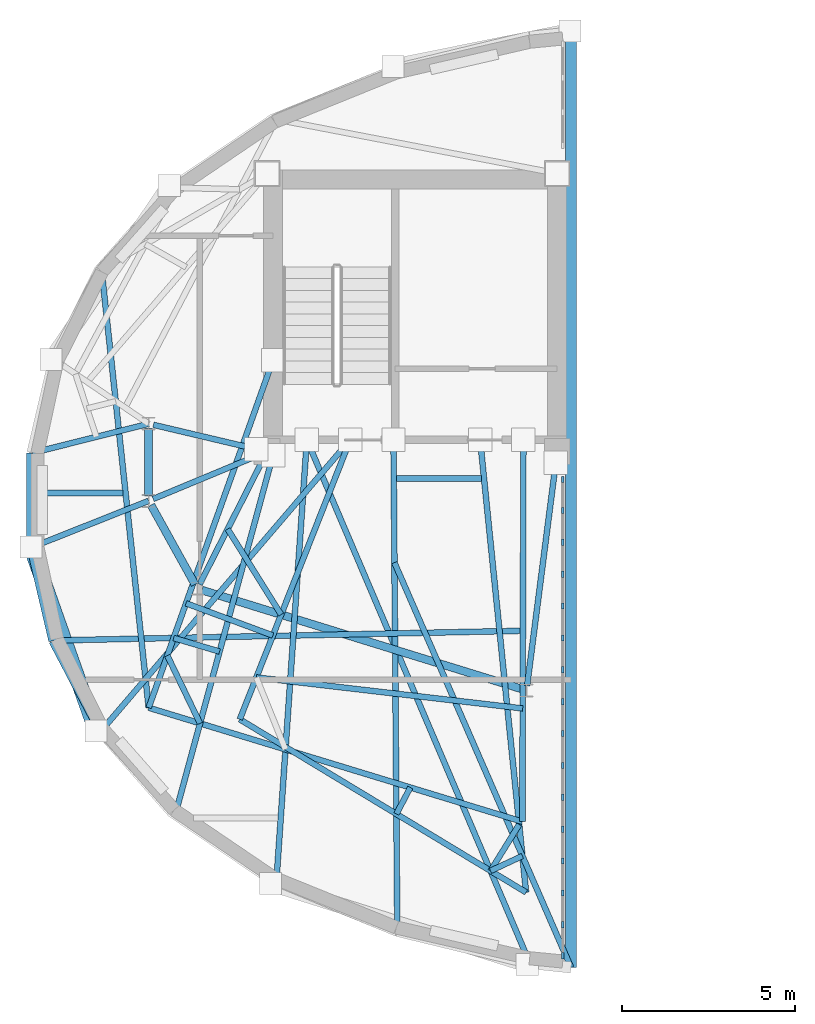
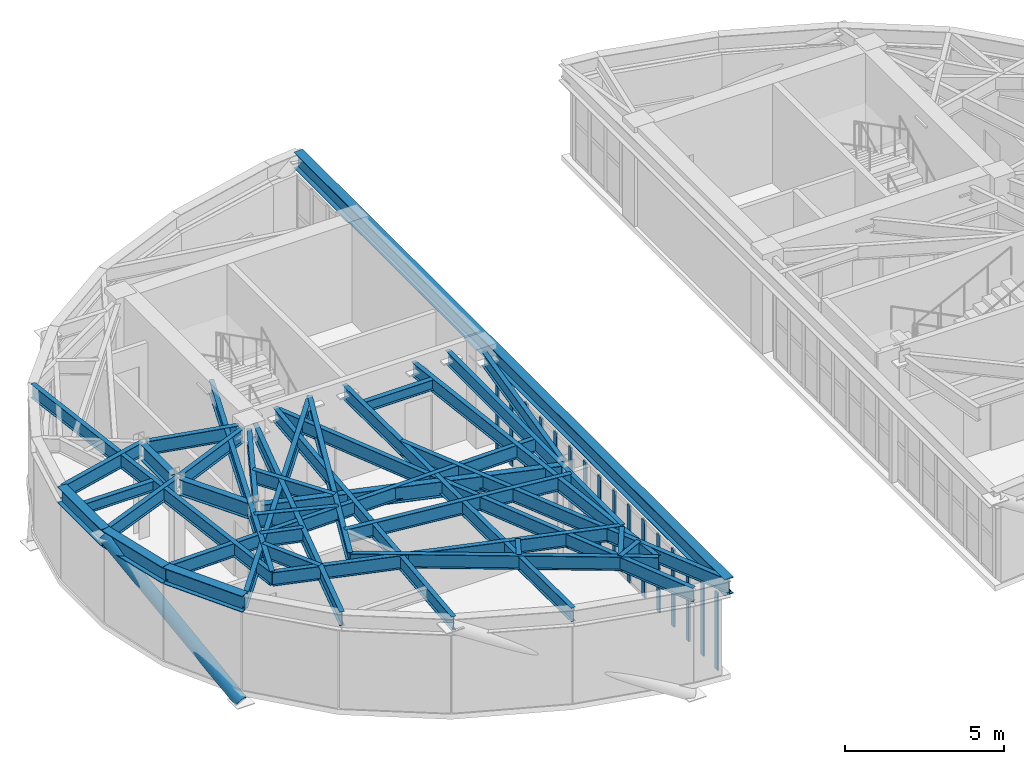
# One storey, part 2 of 13: 37 beams, 17 members, 1 element without a shape of its own.
"""IFC4 building model written with IfcOpenShell, lengths in metres."""

import ifcopenshell
import ifcopenshell.guid

model = None  # the IFC model being written
_history = None  # IfcOwnerHistory: only IFC2X3 demands one
_inside = {}  # id of a spatial element -> (the spatial element, [elements in it])
_under = {}  # id of a project, library or spatial element -> (it, [spatial elements below it])
_declared = {}  # id of a project -> (the project, [libraries it declares])
_typed = {}  # id of a type object -> (the type object, [elements of that type])
_made_of = {}  # id of a material, layer set ... -> (it, [elements and type objects made of it])


def new_model(schema):
    """Start an empty IFC model of exactly this schema.

    Asked for "IFC4X3", IfcOpenShell would pick the latest addendum, in which some entities
    have other attributes; the version numbers below select the first issue.
    IFC2X3 requires an IfcOwnerHistory on every rooted entity: one is made here for all.
    """
    global model, _history
    if schema == "IFC4X3":
        model = ifcopenshell.file(schema_version=(4, 3, 0, 0))
    else:
        model = ifcopenshell.file(schema=schema)
    _inside.clear()
    _under.clear()
    _declared.clear()
    _typed.clear()
    _made_of.clear()
    _history = None
    if model.schema == "IFC2X3":
        org = make("IfcOrganization", Name="unknown")
        user = make(
            "IfcPersonAndOrganization",
            ThePerson=make("IfcPerson", FamilyName="unknown"),
            TheOrganization=org,
        )
        app = make(
            "IfcApplication",
            ApplicationDeveloper=org,
            Version="unknown",
            ApplicationFullName="unknown",
            ApplicationIdentifier="unknown",
        )
        _history = make(
            "IfcOwnerHistory",
            OwningUser=user,
            OwningApplication=app,
            ChangeAction="ADDED",
            CreationDate=0,
        )
    return model


def make(cls, **values):
    """One entity of the class cls with the attributes given. An attribute that is None is left unset."""
    return model.create_entity(
        cls, **{name: value for name, value in values.items() if value is not None}
    )


def rooted(cls, **values):
    """An entity with a GlobalId (a new one), such as an element, a storey or a relation."""
    return make(cls, GlobalId=ifcopenshell.guid.new(), OwnerHistory=_history, **values)


def si_unit(unit_type, name, prefix=None):
    """IfcSIUnit, for example si_unit("LENGTHUNIT", "METRE", prefix="MILLI")."""
    return make("IfcSIUnit", UnitType=unit_type, Prefix=prefix, Name=name)


def assignment(units):
    """IfcUnitAssignment: the units of a project."""
    return None if units is None else make("IfcUnitAssignment", Units=units)


def point(xyz):
    """IfcCartesianPoint."""
    return None if xyz is None else make("IfcCartesianPoint", Coordinates=xyz)


def direction(xyz):
    """IfcDirection."""
    return None if xyz is None else make("IfcDirection", DirectionRatios=xyz)


def frame(location, z_axis=None, x_axis=None):
    """IfcAxis2Placement3D, a coordinate frame: its origin and axes. An axis left out is left unset."""
    return make(
        "IfcAxis2Placement3D",
        Location=point(location),
        Axis=direction(z_axis),
        RefDirection=direction(x_axis),
    )


def frame_2d(location, x_axis=None):
    """IfcAxis2Placement2D, a coordinate frame in the plane: its origin and x axis."""
    return make(
        "IfcAxis2Placement2D", Location=point(location), RefDirection=direction(x_axis)
    )


def origin():
    """The frame at (0, 0, 0) with its axes left unset."""
    return frame((0.0, 0.0, 0.0))


def origin_2d():
    """The frame at (0, 0) in the plane with its x axis left unset."""
    return frame_2d((0.0, 0.0))


def place(relative_to, where):
    """IfcLocalPlacement: puts the frame where relative to a parent placement (None: the world)."""
    return make(
        "IfcLocalPlacement", PlacementRelTo=relative_to, RelativePlacement=where
    )


def context(
    kind, dimensions, precision=None, world=None, true_north=None, identifier=None
):
    """IfcGeometricRepresentationContext, for example the 3D "Model" context."""
    return make(
        "IfcGeometricRepresentationContext",
        ContextIdentifier=identifier,
        ContextType=kind,
        CoordinateSpaceDimension=dimensions,
        Precision=precision,
        WorldCoordinateSystem=world,
        TrueNorth=true_north,
    )


def subcontext(parent, identifier, kind, view, scale=None):
    """IfcGeometricRepresentationSubContext, for example "Body" below "Model"."""
    return make(
        "IfcGeometricRepresentationSubContext",
        ContextIdentifier=identifier,
        ContextType=kind,
        ParentContext=parent,
        TargetScale=scale,
        TargetView=view,
    )


def project(units=None, contexts=None):
    """IfcProject with its units and contexts."""
    return rooted(
        "IfcProject",
        Name="project",
        RepresentationContexts=contexts,
        UnitsInContext=assignment(units),
    )


def spatial(cls, under=None, at=None, **own):
    """A site, building, storey or space (cls), placed at a placement, below another one or the project."""
    s = rooted(cls, ObjectPlacement=at, **own)
    if under is not None:
        _under.setdefault(under.id(), (under, []))[1].append(s)
    return s


def profile(cls, at=None, kind="AREA", **sizes):
    """A parametric profile (cls). Its sizes go by their IFC names, for example OverallWidth=200.0."""
    return make(cls, ProfileType=kind, Position=at, **sizes)


def rectangle(**sizes):
    """IfcRectangleProfileDef."""
    return profile("IfcRectangleProfileDef", **sizes)


def hollow_circle(**sizes):
    """IfcCircleHollowProfileDef."""
    return profile("IfcCircleHollowProfileDef", **sizes)


def i_section(**sizes):
    """IfcIShapeProfileDef."""
    return profile("IfcIShapeProfileDef", **sizes)


def extrude(swept, where, along, depth):
    """IfcExtrudedAreaSolid: the profile swept, set in the frame where, extruded along a direction by depth."""
    return make(
        "IfcExtrudedAreaSolid",
        SweptArea=swept,
        Position=where,
        ExtrudedDirection=direction(along),
        Depth=depth,
    )


def shape(context_of_items, identifier, shape_type, items):
    """IfcShapeRepresentation: the items that make up one representation, for example the "Body"."""
    return make(
        "IfcShapeRepresentation",
        ContextOfItems=context_of_items,
        RepresentationIdentifier=identifier,
        RepresentationType=shape_type,
        Items=items,
    )


def material(Name=None, Category=None):
    """IfcMaterial."""
    return make("IfcMaterial", Name=Name, Category=Category)


def layer(
    of_material, thickness, ventilated=None, Name=None, Category=None, Priority=None
):
    """IfcMaterialLayer: one layer of a wall or slab, of a material (None: an air gap)."""
    return make(
        "IfcMaterialLayer",
        Material=of_material,
        LayerThickness=thickness,
        IsVentilated=ventilated,
        Name=Name,
        Category=Category,
        Priority=Priority,
    )


def layer_set(layers, Name=None):
    """IfcMaterialLayerSet."""
    return make("IfcMaterialLayerSet", MaterialLayers=layers, LayerSetName=Name)


def material_profile(
    of_material, cross_section, Name=None, Category=None, Priority=None
):
    """IfcMaterialProfile: a cross section and its material."""
    return make(
        "IfcMaterialProfile",
        Name=Name,
        Material=of_material,
        Profile=cross_section,
        Priority=Priority,
        Category=Category,
    )


def profile_set(profiles, Name=None, composite=None):
    """IfcMaterialProfileSet."""
    return make(
        "IfcMaterialProfileSet",
        Name=Name,
        MaterialProfiles=profiles,
        CompositeProfile=composite,
    )


def made_of(thing, what):
    """Note that an element or type object is made of a material, layer set ...; save() writes the relation."""
    if what is not None:
        _made_of.setdefault(what.id(), (what, []))[1].append(thing)
    return thing


def type_object(cls, material=None, **own):
    """A type object (cls), such as IfcWallType, which elements share."""
    return made_of(rooted(cls, **own), material)


def element(
    cls,
    number,
    at=None,
    inside=None,
    cuts=None,
    type_object=None,
    material=None,
    context=None,
    identifier="Body",
    shape_type=None,
    held_by="IfcProductDefinitionShape",
    body=None,
    shapes=None,
    **own,
):
    """One element of the class cls, such as IfcWall. Its Tag is "e" and its number.

    at: its placement. inside: the storey or other place that contains it. cuts: it is an
    opening in that element (IfcRelVoidsElement). A single representation is given by context,
    identifier, shape_type and body (its items); several are given by shapes. held_by: the class
    of the entity that holds the representations. save() writes the other relations.
    """
    e = rooted(cls, Tag="e%d" % number, ObjectPlacement=at, **own)
    if body is not None:
        shapes = [shape(context, identifier, shape_type, body)]
    if shapes is not None:
        e.Representation = make(held_by, Representations=shapes)
    if inside is not None:
        _inside.setdefault(inside.id(), (inside, []))[1].append(e)
    if cuts is not None:
        rooted(
            "IfcRelVoidsElement", RelatingBuildingElement=cuts, RelatedOpeningElement=e
        )
    if type_object is not None:
        _typed.setdefault(type_object.id(), (type_object, []))[1].append(e)
    return made_of(e, material)


def aggregate(whole, parts):
    """IfcRelAggregates: a whole, such as a stair, and the parts it consists of."""
    return rooted("IfcRelAggregates", RelatingObject=whole, RelatedObjects=parts)


def save(model, path):
    """Write the relations noted so far, then the file.

    IfcRelAggregates (storeys below a building ...), IfcRelContainedInSpatialStructure (elements
    in a storey), IfcRelDefinesByType, IfcRelAssociatesMaterial and IfcRelDeclares: one each for
    every whole, place, type object, material and project.
    """
    for whole, parts in _under.values():
        aggregate(whole, parts)
    for where, things in _inside.values():
        rooted(
            "IfcRelContainedInSpatialStructure",
            RelatedElements=things,
            RelatingStructure=where,
        )
    for kind, things in _typed.values():
        rooted("IfcRelDefinesByType", RelatedObjects=things, RelatingType=kind)
    for what, things in _made_of.values():
        rooted("IfcRelAssociatesMaterial", RelatedObjects=things, RelatingMaterial=what)
    for by, libraries in _declared.values():
        rooted("IfcRelDeclares", RelatingContext=by, RelatedDefinitions=libraries)
    model.write(path)


model = new_model("IFC4")

# Units and contexts
model_context = context("Model", 3, precision=1e-05, world=origin(), true_north=direction((0.0, 1.0)))
body_context = subcontext(model_context, "Body", "Model", "MODEL_VIEW")
ifc_project = project(units=[si_unit("LENGTHUNIT", "METRE"), si_unit("AREAUNIT", "SQUARE_METRE"), si_unit("VOLUMEUNIT", "CUBIC_METRE"), si_unit("PLANEANGLEUNIT", "RADIAN"), si_unit("MASSUNIT", "GRAM", prefix="KILO")], contexts=[model_context])

# Site, building, storey
site_placement = place(None, origin())
site = spatial("IfcSite", under=ifc_project, at=site_placement, CompositionType="ELEMENT")
building_placement = place(site_placement, origin())
building = spatial("IfcBuilding", under=site, at=building_placement, Name="Keldmark Tower", CompositionType="ELEMENT")
storey_placement = place(building_placement, frame((0.0, 0.0, 276.800048828125)))
storey = spatial("IfcBuildingStorey", under=building, at=storey_placement, Name="L78", CompositionType="ELEMENT", Elevation=276.800048828125)

# Beams
ifc_material_1 = material(Name="Steel ASTM A992 Grade 50", Category="steel")
ifc_material_profile_1 = material_profile(ifc_material_1, i_section(OverallWidth=0.177978515625, OverallDepth=0.403076171875, WebThickness=0.007568359375, FlangeThickness=0.010986328125, at=origin_2d()), Name="W16X36")
ifc_profile_set_1 = profile_set([ifc_material_profile_1], Name="Steel ASTM A992 Grade 50")
beam_type_1 = type_object("IfcBeamType", Name="Composite Floor Joist W16X36", PredefinedType="JOIST", material=ifc_profile_set_1)
beam_1_placement = place(storey_placement, frame((-20.23779296875, 0.199951171875, 3.3984375), z_axis=(1.0, 0.0, 0.0), x_axis=(0.0, 1.0, 0.0)))
element("IfcBeam", 1, at=beam_1_placement, inside=storey, type_object=beam_type_1, Name="L78 Composite Floor Joist J05", PredefinedType="JOIST", context=body_context, shape_type="SweptSolid", body=[
    extrude(i_section(OverallWidth=0.177978515625, OverallDepth=0.403076171875, WebThickness=0.007568359375, FlangeThickness=0.010986328125, at=origin_2d()), origin(), (0.0, 0.0, 1.0), 2.46875),
])
beam_2_placement = place(storey_placement, frame((-9.855712890625, 0.6201171875, 3.3984375), z_axis=(1.0, 0.0, 0.0), x_axis=(0.0, 1.0, 0.0)))
element("IfcBeam", 2, at=beam_2_placement, inside=storey, type_object=beam_type_1, Name="L78 Composite Floor Joist J06", PredefinedType="JOIST", context=body_context, shape_type="SweptSolid", body=[
    extrude(i_section(OverallWidth=0.177978515625, OverallDepth=0.403076171875, WebThickness=0.007568359375, FlangeThickness=0.010986328125, at=origin_2d()), origin(), (0.0, 0.0, 1.0), 2.4619140625),
])

# Member
ifc_material_2 = material(Name="Steel ASTM A572 Grade 50", Category="steel")
ifc_material_profile_2 = material_profile(ifc_material_2, hollow_circle(Radius=0.22509765625, WallThickness=0.02197265625, at=origin_2d()), Name="CHS450X22")
ifc_profile_set_2 = profile_set([ifc_material_profile_2], Name="Steel ASTM A572 Grade 50")
member_type_1 = type_object("IfcMemberType", Name="Crown Frame Brace CHS450X22", PredefinedType="USERDEFINED", material=ifc_profile_set_2)
member_1_placement = place(storey_placement, frame((-18.544921875, -6.688232421875, -0.449951171875), z_axis=(-0.276718751371, 0.782531387423, 0.557737716438), x_axis=(-0.942789303408, -0.333389156062, 0.0)))
element("IfcMember", 3, at=member_1_placement, inside=storey, type_object=member_type_1, Name="L78 Crown Frame Diagonal W04", ObjectType="CROWN FRAME", PredefinedType="USERDEFINED", context=body_context, shape_type="SweptSolid", body=[
    extrude(hollow_circle(Radius=0.22509765625, WallThickness=0.02197265625, at=origin_2d()), origin(), (0.0, 0.0, 1.0), 6.81298828125),
])

# Curtain wall, members
ifc_material_3 = material(Name="Unitized Thermally Broken Aluminum and Triple Low-E Glazing", Category="aluminium")
ifc_layer = layer(ifc_material_3, 0.219970703125)
ifc_layer_set = layer_set([ifc_layer], Name="Unitized Thermally Broken Aluminum and Triple Low-E Glazing")
curtain_wall_type = type_object("IfcCurtainWallType", Name="Split-Top Crown Lantern Curtain Wall System", PredefinedType="NOTDEFINED", material=ifc_layer_set)
curtain_wall_placement = place(storey_placement, origin())
curtain_wall = element("IfcCurtainWall", 4, at=curtain_wall_placement, inside=storey, type_object=curtain_wall_type, Name="L78 Split-Top Crown Lantern Curtain Wall System CW-L78-WS14-0", PredefinedType="NOTDEFINED")
ifc_material_4 = material(Name="Extruded Aluminum Alloy 6063-T6", Category="aluminium")
ifc_material_profile_3 = material_profile(ifc_material_4, rectangle(XDim=0.06005859375, YDim=0.179931640625, at=origin_2d()), Name="CWM60X180")
ifc_profile_set_3 = profile_set([ifc_material_profile_3], Name="Extruded Aluminum Alloy 6063-T6")
member_type_2 = type_object("IfcMemberType", Name="Curtain Wall Structural Mullion 60x180", PredefinedType="MULLION", material=ifc_profile_set_3)
member_2_placement = place(storey_placement, frame((-5.0400390625, -13.188720703125, 0.0), z_axis=(0.0, 0.0, 1.0), x_axis=(-1.0, 0.0, 0.0)))
member_2 = element("IfcMember", 5, at=member_2_placement, type_object=member_type_2, Name="CW mullion 1", PredefinedType="MULLION", context=body_context, shape_type="SweptSolid", body=[
    extrude(rectangle(XDim=0.06005859375, YDim=0.179931640625, at=origin_2d()), origin(), (0.0, 0.0, 1.0), 2.966064453125),
])
member_3_placement = place(storey_placement, frame((-5.0400390625, -12.2958984375, 0.0), z_axis=(0.0, 0.0, 1.0), x_axis=(-1.0, 0.0, 0.0)))
member_3 = element("IfcMember", 6, at=member_3_placement, type_object=member_type_2, Name="CW mullion 2", PredefinedType="MULLION", context=body_context, shape_type="SweptSolid", body=[
    extrude(rectangle(XDim=0.06005859375, YDim=0.179931640625, at=origin_2d()), origin(), (0.0, 0.0, 1.0), 2.966064453125),
])
member_4_placement = place(storey_placement, frame((-5.0400390625, -11.373291015625, 0.0), z_axis=(0.0, 0.0, 1.0), x_axis=(-1.0, 0.0, 0.0)))
member_4 = element("IfcMember", 7, at=member_4_placement, type_object=member_type_2, Name="CW mullion 3", PredefinedType="MULLION", context=body_context, shape_type="SweptSolid", body=[
    extrude(rectangle(XDim=0.06005859375, YDim=0.179931640625, at=origin_2d()), origin(), (0.0, 0.0, 1.0), 2.966064453125),
])
member_5_placement = place(storey_placement, frame((-5.0400390625, -10.45068359375, 0.0), z_axis=(0.0, 0.0, 1.0), x_axis=(-1.0, 0.0, 0.0)))
member_5 = element("IfcMember", 8, at=member_5_placement, type_object=member_type_2, Name="CW mullion 4", PredefinedType="MULLION", context=body_context, shape_type="SweptSolid", body=[
    extrude(rectangle(XDim=0.06005859375, YDim=0.179931640625, at=origin_2d()), origin(), (0.0, 0.0, 1.0), 2.966064453125),
])
member_6_placement = place(storey_placement, frame((-5.0400390625, -9.528076171875, 0.0), z_axis=(0.0, 0.0, 1.0), x_axis=(-1.0, 0.0, 0.0)))
member_6 = element("IfcMember", 9, at=member_6_placement, type_object=member_type_2, Name="CW mullion 5", PredefinedType="MULLION", context=body_context, shape_type="SweptSolid", body=[
    extrude(rectangle(XDim=0.06005859375, YDim=0.179931640625, at=origin_2d()), origin(), (0.0, 0.0, 1.0), 2.966064453125),
])
member_7_placement = place(storey_placement, frame((-5.0400390625, -8.605224609375, 0.0), z_axis=(0.0, 0.0, 1.0), x_axis=(-1.0, 0.0, 0.0)))
member_7 = element("IfcMember", 10, at=member_7_placement, type_object=member_type_2, Name="CW mullion 6", PredefinedType="MULLION", context=body_context, shape_type="SweptSolid", body=[
    extrude(rectangle(XDim=0.06005859375, YDim=0.179931640625, at=origin_2d()), origin(), (0.0, 0.0, 1.0), 2.966064453125),
])
member_8_placement = place(storey_placement, frame((-5.0400390625, -7.6826171875, 0.0), z_axis=(0.0, 0.0, 1.0), x_axis=(-1.0, 0.0, 0.0)))
member_8 = element("IfcMember", 11, at=member_8_placement, type_object=member_type_2, Name="CW mullion 7", PredefinedType="MULLION", context=body_context, shape_type="SweptSolid", body=[
    extrude(rectangle(XDim=0.06005859375, YDim=0.179931640625, at=origin_2d()), origin(), (0.0, 0.0, 1.0), 2.966064453125),
])
member_9_placement = place(storey_placement, frame((-5.0400390625, -6.760009765625, 0.0), z_axis=(0.0, 0.0, 1.0), x_axis=(-1.0, 0.0, 0.0)))
member_9 = element("IfcMember", 12, at=member_9_placement, type_object=member_type_2, Name="CW mullion 8", PredefinedType="MULLION", context=body_context, shape_type="SweptSolid", body=[
    extrude(rectangle(XDim=0.06005859375, YDim=0.179931640625, at=origin_2d()), origin(), (0.0, 0.0, 1.0), 2.966064453125),
])
member_10_placement = place(storey_placement, frame((-5.0400390625, -5.837158203125, 0.0), z_axis=(0.0, 0.0, 1.0), x_axis=(-1.0, 0.0, 0.0)))
member_10 = element("IfcMember", 13, at=member_10_placement, type_object=member_type_2, Name="CW mullion 9", PredefinedType="MULLION", context=body_context, shape_type="SweptSolid", body=[
    extrude(rectangle(XDim=0.06005859375, YDim=0.179931640625, at=origin_2d()), origin(), (0.0, 0.0, 1.0), 2.966064453125),
])
member_11_placement = place(storey_placement, frame((-5.0400390625, -4.91455078125, 0.0), z_axis=(0.0, 0.0, 1.0), x_axis=(-1.0, 0.0, 0.0)))
member_11 = element("IfcMember", 14, at=member_11_placement, type_object=member_type_2, Name="CW mullion 10", PredefinedType="MULLION", context=body_context, shape_type="SweptSolid", body=[
    extrude(rectangle(XDim=0.06005859375, YDim=0.179931640625, at=origin_2d()), origin(), (0.0, 0.0, 1.0), 2.966064453125),
])
member_12_placement = place(storey_placement, frame((-5.0400390625, -3.991943359375, 0.0), z_axis=(0.0, 0.0, 1.0), x_axis=(-1.0, 0.0, 0.0)))
member_12 = element("IfcMember", 15, at=member_12_placement, type_object=member_type_2, Name="CW mullion 11", PredefinedType="MULLION", context=body_context, shape_type="SweptSolid", body=[
    extrude(rectangle(XDim=0.06005859375, YDim=0.179931640625, at=origin_2d()), origin(), (0.0, 0.0, 1.0), 2.966064453125),
])
member_13_placement = place(storey_placement, frame((-5.0400390625, -3.0693359375, 0.0), z_axis=(0.0, 0.0, 1.0), x_axis=(-1.0, 0.0, 0.0)))
member_13 = element("IfcMember", 16, at=member_13_placement, type_object=member_type_2, Name="CW mullion 12", PredefinedType="MULLION", context=body_context, shape_type="SweptSolid", body=[
    extrude(rectangle(XDim=0.06005859375, YDim=0.179931640625, at=origin_2d()), origin(), (0.0, 0.0, 1.0), 2.966064453125),
])
member_14_placement = place(storey_placement, frame((-5.0400390625, -2.146484375, 0.0), z_axis=(0.0, 0.0, 1.0), x_axis=(-1.0, 0.0, 0.0)))
member_14 = element("IfcMember", 17, at=member_14_placement, type_object=member_type_2, Name="CW mullion 13", PredefinedType="MULLION", context=body_context, shape_type="SweptSolid", body=[
    extrude(rectangle(XDim=0.06005859375, YDim=0.179931640625, at=origin_2d()), origin(), (0.0, 0.0, 1.0), 2.966064453125),
])
member_15_placement = place(storey_placement, frame((-5.0400390625, -1.223876953125, 0.0), z_axis=(0.0, 0.0, 1.0), x_axis=(-1.0, 0.0, 0.0)))
member_15 = element("IfcMember", 18, at=member_15_placement, type_object=member_type_2, Name="CW mullion 14", PredefinedType="MULLION", context=body_context, shape_type="SweptSolid", body=[
    extrude(rectangle(XDim=0.06005859375, YDim=0.179931640625, at=origin_2d()), origin(), (0.0, 0.0, 1.0), 2.966064453125),
])
member_16_placement = place(storey_placement, frame((-5.0400390625, -0.30126953125, 0.0), z_axis=(0.0, 0.0, 1.0), x_axis=(-1.0, 0.0, 0.0)))
member_16 = element("IfcMember", 19, at=member_16_placement, type_object=member_type_2, Name="CW mullion 15", PredefinedType="MULLION", context=body_context, shape_type="SweptSolid", body=[
    extrude(rectangle(XDim=0.06005859375, YDim=0.179931640625, at=origin_2d()), origin(), (0.0, 0.0, 1.0), 2.966064453125),
])
member_17_placement = place(storey_placement, frame((-5.0400390625, 0.591552734375, 0.0), z_axis=(0.0, 0.0, 1.0), x_axis=(-1.0, 0.0, 0.0)))
member_17 = element("IfcMember", 20, at=member_17_placement, type_object=member_type_2, Name="CW mullion 16", PredefinedType="MULLION", context=body_context, shape_type="SweptSolid", body=[
    extrude(rectangle(XDim=0.06005859375, YDim=0.179931640625, at=origin_2d()), origin(), (0.0, 0.0, 1.0), 2.966064453125),
])
aggregate(curtain_wall, [member_2, member_3, member_4, member_5, member_6, member_7, member_8, member_9, member_10, member_11, member_12, member_13, member_14, member_15, member_16, member_17])

# Beams
ifc_material_5 = material(Name="Steel ASTM A992 Grade 50", Category="steel")
ifc_material_profile_4 = material_profile(ifc_material_5, i_section(OverallWidth=0.22802734375, OverallDepth=0.60302734375, WebThickness=0.010498046875, FlangeThickness=0.014892578125, at=origin_2d()), Name="W24X68")
ifc_profile_set_4 = profile_set([ifc_material_profile_4], Name="Steel ASTM A992 Grade 50")
beam_type_2 = type_object("IfcBeamType", Name="Primary Floor Girder W24X68", PredefinedType="BEAM", material=ifc_profile_set_4)
beam_3_placement = place(storey_placement, frame((-17.025634765625, 2.068115234375, 3.29833984375), z_axis=(0.0, -1.0, 0.0), x_axis=(1.0, 0.0, 0.0)))
element("IfcBeam", 21, at=beam_3_placement, inside=storey, type_object=beam_type_2, Name="L78 Floor Ring Girder FG-R02", PredefinedType="BEAM", context=body_context, shape_type="SweptSolid", body=[
    extrude(i_section(OverallWidth=0.22802734375, OverallDepth=0.60302734375, WebThickness=0.010498046875, FlangeThickness=0.014892578125, at=origin_2d()), origin(), (0.0, 0.0, 1.0), 1.9521484375),
])
beam_4_placement = place(storey_placement, frame((-16.957763671875, -0.146484375, 3.29833984375), z_axis=(0.484719680408, -0.874669555561, 0.0), x_axis=(0.874669555561, 0.484719680408, 0.0)))
element("IfcBeam", 22, at=beam_4_placement, inside=storey, type_object=beam_type_2, Name="L78 Floor Ring Girder FG-R03", PredefinedType="BEAM", context=body_context, shape_type="SweptSolid", body=[
    extrude(i_section(OverallWidth=0.22802734375, OverallDepth=0.60302734375, WebThickness=0.010498046875, FlangeThickness=0.014892578125, at=origin_2d()), origin(), (0.0, 0.0, 1.0), 2.627685546875),
])
beam_5_placement = place(storey_placement, frame((-15.482421875, -2.60888671875, 3.29833984375), z_axis=(0.955383255089, -0.295368982622, 0.0), x_axis=(0.295368982622, 0.955383255089, 0.0)))
element("IfcBeam", 23, at=beam_5_placement, inside=storey, type_object=beam_type_2, Name="L78 Floor Ring Girder FG-R04", PredefinedType="BEAM", context=body_context, shape_type="SweptSolid", body=[
    extrude(i_section(OverallWidth=0.22802734375, OverallDepth=0.60302734375, WebThickness=0.010498046875, FlangeThickness=0.014892578125, at=origin_2d()), origin(), (0.0, 0.0, 1.0), 9.69140625),
])
ifc_material_6 = material(Name="Steel ASTM A992 Grade 50", Category="steel")
ifc_material_profile_5 = material_profile(ifc_material_6, i_section(OverallWidth=0.166015625, OverallDepth=0.529052734375, WebThickness=0.009765625, FlangeThickness=0.013671875, at=origin_2d()), Name="W21X50")
ifc_profile_set_5 = profile_set([ifc_material_profile_5], Name="Steel ASTM A992 Grade 50")
beam_type_3 = type_object("IfcBeamType", Name="Radial Tie Girder W21X50", PredefinedType="BEAM", material=ifc_profile_set_5)
beam_6_placement = place(storey_placement, frame((-16.889404296875, 2.17578125, 3.33544921875), z_axis=(0.97329039005, -0.229577474147, 0.0), x_axis=(0.229577474147, 0.97329039005, 0.0)))
element("IfcBeam", 24, at=beam_6_placement, inside=storey, type_object=beam_type_3, Name="L78 Floor Radial Girder FG-C06", PredefinedType="BEAM", context=body_context, shape_type="SweptSolid", body=[
    extrude(i_section(OverallWidth=0.166015625, OverallDepth=0.529052734375, WebThickness=0.009765625, FlangeThickness=0.013671875, at=origin_2d()), origin(), (0.0, 0.0, 1.0), 3.0595703125),
])
beam_7_placement = place(storey_placement, frame((-16.896240234375, 0.02978515625, 3.33544921875), z_axis=(0.923403331902, 0.383831065226, 0.0), x_axis=(-0.383831065226, 0.923403331902, 0.0)))
element("IfcBeam", 25, at=beam_7_placement, inside=storey, type_object=beam_type_3, Name="L78 Floor Radial Girder FG-C07", PredefinedType="BEAM", context=body_context, shape_type="SweptSolid", body=[
    extrude(i_section(OverallWidth=0.166015625, OverallDepth=0.529052734375, WebThickness=0.009765625, FlangeThickness=0.013671875, at=origin_2d()), origin(), (0.0, 0.0, 1.0), 3.249755859375),
])
beam_8_placement = place(storey_placement, frame((-15.552734375, -2.442626953125, 3.33544921875), z_axis=(0.453004410574, 0.89150827478, 0.0), x_axis=(-0.89150827478, 0.453004410574, 0.0)))
element("IfcBeam", 26, at=beam_8_placement, inside=storey, type_object=beam_type_3, Name="L78 Floor Radial Girder FG-C08", PredefinedType="BEAM", context=body_context, shape_type="SweptSolid", body=[
    extrude(i_section(OverallWidth=0.166015625, OverallDepth=0.529052734375, WebThickness=0.009765625, FlangeThickness=0.013671875, at=origin_2d()), origin(), (0.0, 0.0, 1.0), 3.990234375),
])
beam_9_placement = place(storey_placement, frame((-6.071533203125, -5.3740234375, 3.33544921875), z_axis=(0.127625044513, 0.991822488157, 0.0), x_axis=(-0.991822488157, 0.127625044513, 0.0)))
element("IfcBeam", 27, at=beam_9_placement, inside=storey, type_object=beam_type_3, Name="L78 Floor Radial Girder FG-C09", PredefinedType="BEAM", context=body_context, shape_type="SweptSolid", body=[
    extrude(i_section(OverallWidth=0.166015625, OverallDepth=0.529052734375, WebThickness=0.009765625, FlangeThickness=0.013671875, at=origin_2d()), origin(), (0.0, 0.0, 1.0), 6.509765625),
])
beam_10_placement = place(storey_placement, frame((-14.7392578125, -0.841796875, 3.33544921875), z_axis=(0.530246964546, -0.847843238217, 0.0), x_axis=(0.847843238217, 0.530246964546, 0.0)))
element("IfcBeam", 28, at=beam_10_placement, inside=storey, type_object=beam_type_3, Name="L78 Framing Pin Header PH-012", PredefinedType="BEAM", context=body_context, shape_type="SweptSolid", body=[
    extrude(i_section(OverallWidth=0.166015625, OverallDepth=0.529052734375, WebThickness=0.009765625, FlangeThickness=0.013671875, at=origin_2d()), origin(), (0.0, 0.0, 1.0), 2.919677734375),
])
beam_11_placement = place(storey_placement, frame((-11.19287109375, 1.739990234375, 3.33544921875), z_axis=(-0.367481605368, -0.93003078966, 0.0), x_axis=(0.93003078966, -0.367481605368, 0.0)))
element("IfcBeam", 29, at=beam_11_placement, inside=storey, type_object=beam_type_3, Name="L78 Sub-Ring Step Girder STP1-W06", PredefinedType="BEAM", context=body_context, shape_type="SweptSolid", body=[
    extrude(i_section(OverallWidth=0.166015625, OverallDepth=0.529052734375, WebThickness=0.009765625, FlangeThickness=0.013671875, at=origin_2d()), origin(), (0.0, 0.0, 1.0), 8.697265625),
])
beam_12_placement = place(storey_placement, frame((-13.43017578125, -3.922119140625, 3.33544921875), z_axis=(-0.937691632283, 0.347468563681, 0.0), x_axis=(-0.347468563681, -0.937691632283, 0.0)))
element("IfcBeam", 30, at=beam_12_placement, inside=storey, type_object=beam_type_3, Name="L78 Framing Pin Header PH-013", PredefinedType="BEAM", context=body_context, shape_type="SweptSolid", body=[
    extrude(i_section(OverallWidth=0.166015625, OverallDepth=0.529052734375, WebThickness=0.009765625, FlangeThickness=0.013671875, at=origin_2d()), origin(), (0.0, 0.0, 1.0), 2.68115234375),
])
beam_13_placement = place(storey_placement, frame((-13.425048828125, 4.050048828125, 3.33544921875), z_axis=(-0.336903611923, -0.941539142189, 0.0), x_axis=(0.941539142189, -0.336903611923, 0.0)))
element("IfcBeam", 31, at=beam_13_placement, inside=storey, type_object=beam_type_3, Name="L78 Sub-Ring Step Girder STP2-W06", PredefinedType="BEAM", context=body_context, shape_type="SweptSolid", body=[
    extrude(i_section(OverallWidth=0.166015625, OverallDepth=0.529052734375, WebThickness=0.009765625, FlangeThickness=0.013671875, at=origin_2d()), origin(), (0.0, 0.0, 1.0), 10.687255859375),
])
beam_14_placement = place(storey_placement, frame((-13.909423828125, -5.135498046875, 3.33544921875), z_axis=(0.993285626896, -0.115687784152, 0.0), x_axis=(0.115687784152, 0.993285626896, 0.0)))
element("IfcBeam", 32, at=beam_14_placement, inside=storey, type_object=beam_type_3, Name="L78 Framing Pin Header PH-014", PredefinedType="BEAM", context=body_context, shape_type="SweptSolid", body=[
    extrude(i_section(OverallWidth=0.166015625, OverallDepth=0.529052734375, WebThickness=0.009765625, FlangeThickness=0.013671875, at=origin_2d()), origin(), (0.0, 0.0, 1.0), 7.76171875),
])
beam_15_placement = place(storey_placement, frame((-6.1787109375, 1.739990234375, 3.33544921875), z_axis=(-0.002717381272, -0.999996307913, 0.0), x_axis=(0.999996307913, -0.002717381272, 0.0)))
element("IfcBeam", 33, at=beam_15_placement, inside=storey, type_object=beam_type_3, Name="L78 Sub-Ring Step Girder STP2-W07", PredefinedType="BEAM", context=body_context, shape_type="SweptSolid", body=[
    extrude(i_section(OverallWidth=0.166015625, OverallDepth=0.529052734375, WebThickness=0.009765625, FlangeThickness=0.013671875, at=origin_2d()), origin(), (0.0, 0.0, 1.0), 11.05078125),
])
beam_16_placement = place(storey_placement, frame((-17.025634765625, -6.012451171875, 3.33544921875), z_axis=(0.956520009842, -0.291666711799, 0.0), x_axis=(0.291666711799, 0.956520009842, 0.0)))
element("IfcBeam", 34, at=beam_16_placement, inside=storey, type_object=beam_type_3, Name="L78 Perimeter Collector Ring Beam CRG2-W06", PredefinedType="BEAM", context=body_context, shape_type="SweptSolid", body=[
    extrude(i_section(OverallWidth=0.166015625, OverallDepth=0.529052734375, WebThickness=0.009765625, FlangeThickness=0.013671875, at=origin_2d()), origin(), (0.0, 0.0, 1.0), 11.30859375),
])
beam_17_placement = place(storey_placement, frame((-7.43212890625, 1.739990234375, 3.33544921875), z_axis=(0.101090035788, -0.994877281208, 0.0), x_axis=(0.994877281208, 0.101090035788, 0.0)))
element("IfcBeam", 35, at=beam_17_placement, inside=storey, type_object=beam_type_3, Name="L78 Intermediate Radial Step Girder CRT-W01M", PredefinedType="BEAM", context=body_context, shape_type="SweptSolid", body=[
    extrude(i_section(OverallWidth=0.166015625, OverallDepth=0.529052734375, WebThickness=0.009765625, FlangeThickness=0.013671875, at=origin_2d()), origin(), (0.0, 0.0, 1.0), 13.16455078125),
])
beam_18_placement = place(storey_placement, frame((-14.388916015625, -6.3486328125, 3.33544921875), z_axis=(0.855849045543, -0.517225686953, 0.0), x_axis=(0.517225686953, 0.855849045543, 0.0)))
element("IfcBeam", 36, at=beam_18_placement, inside=storey, type_object=beam_type_3, Name="L78 Local Collector Chord CRT-W01C", PredefinedType="BEAM", context=body_context, shape_type="SweptSolid", body=[
    extrude(i_section(OverallWidth=0.166015625, OverallDepth=0.529052734375, WebThickness=0.009765625, FlangeThickness=0.013671875, at=origin_2d()), origin(), (0.0, 0.0, 1.0), 9.68359375),
])
beam_19_placement = place(storey_placement, frame((-6.301025390625, -9.392578125, 3.33544921875), z_axis=(-0.525960468124, -0.850509015808, 0.0), x_axis=(0.850509015808, -0.525960468124, 0.0)))
element("IfcBeam", 37, at=beam_19_placement, inside=storey, type_object=beam_type_3, Name="L78 Framing Pin Header PH-015", PredefinedType="BEAM", context=body_context, shape_type="SweptSolid", body=[
    extrude(i_section(OverallWidth=0.166015625, OverallDepth=0.529052734375, WebThickness=0.009765625, FlangeThickness=0.013671875, at=origin_2d()), origin(), (0.0, 0.0, 1.0), 1.578125),
])
beam_20_placement = place(storey_placement, frame((-12.4462890625, 1.739990234375, 3.33544921875), z_axis=(0.391970865136, -0.919977630644, 0.0), x_axis=(0.919977630644, 0.391970865136, 0.0)))
element("IfcBeam", 38, at=beam_20_placement, inside=storey, type_object=beam_type_3, Name="L78 Perimeter Radial Tie Girder CRT-W01", PredefinedType="BEAM", context=body_context, shape_type="SweptSolid", body=[
    extrude(i_section(OverallWidth=0.166015625, OverallDepth=0.529052734375, WebThickness=0.009765625, FlangeThickness=0.013671875, at=origin_2d()), origin(), (0.0, 0.0, 1.0), 16.460693359375),
])
beam_21_placement = place(storey_placement, frame((-9.453857421875, -8.3212890625, 3.33544921875), z_axis=(-0.463606528608, -0.886041187887, 0.0), x_axis=(0.886041187887, -0.463606528608, 0.0)))
element("IfcBeam", 39, at=beam_21_placement, inside=storey, type_object=beam_type_3, Name="L78 Framing Pin Header PH-016", PredefinedType="BEAM", context=body_context, shape_type="SweptSolid", body=[
    extrude(i_section(OverallWidth=0.166015625, OverallDepth=0.529052734375, WebThickness=0.009765625, FlangeThickness=0.013671875, at=origin_2d()), origin(), (0.0, 0.0, 1.0), 0.86572265625),
])
beam_22_placement = place(storey_placement, frame((-9.939208984375, 1.739990234375, 3.33544921875), z_axis=(0.007746512554, -0.999969995321, 0.0), x_axis=(0.999969995321, 0.007746512554, 0.0)))
element("IfcBeam", 40, at=beam_22_placement, inside=storey, type_object=beam_type_3, Name="L78 Perimeter Radial Tie Girder CRT-W02", PredefinedType="BEAM", context=body_context, shape_type="SweptSolid", body=[
    extrude(i_section(OverallWidth=0.166015625, OverallDepth=0.529052734375, WebThickness=0.009765625, FlangeThickness=0.013671875, at=origin_2d()), origin(), (0.0, 0.0, 1.0), 14.2138671875),
])
beam_23_placement = place(storey_placement, frame((-12.4462890625, 1.739990234375, 3.33544921875), z_axis=(-0.068948221667, -0.997620239735, 0.0), x_axis=(0.997620239735, -0.068948221667, 0.0)))
element("IfcBeam", 41, at=beam_23_placement, inside=storey, type_object=beam_type_3, Name="L78 Perimeter Radial Tie Girder CRT-W03", PredefinedType="BEAM", context=body_context, shape_type="SweptSolid", body=[
    extrude(i_section(OverallWidth=0.166015625, OverallDepth=0.529052734375, WebThickness=0.009765625, FlangeThickness=0.013671875, at=origin_2d()), origin(), (0.0, 0.0, 1.0), 12.786376953125),
])
beam_24_placement = place(storey_placement, frame((-16.485595703125, -4.503173828125, 3.33544921875), z_axis=(0.434394964239, -0.900722496135, 0.0), x_axis=(0.900722496135, 0.434394964239, 0.0)))
element("IfcBeam", 42, at=beam_24_placement, inside=storey, type_object=beam_type_3, Name="L78 Framing Pin Header PH-018", PredefinedType="BEAM", context=body_context, shape_type="SweptSolid", body=[
    extrude(i_section(OverallWidth=0.166015625, OverallDepth=0.529052734375, WebThickness=0.009765625, FlangeThickness=0.013671875, at=origin_2d()), origin(), (0.0, 0.0, 1.0), 2.178955078125),
])
beam_25_placement = place(storey_placement, frame((-13.425048828125, 1.300048828125, 3.33544921875), z_axis=(-0.262664386303, -0.96488725775, 0.0), x_axis=(0.96488725775, -0.262664386303, 0.0)))
element("IfcBeam", 43, at=beam_25_placement, inside=storey, type_object=beam_type_3, Name="L78 Perimeter Radial Tie Girder CRT-W04", PredefinedType="BEAM", context=body_context, shape_type="SweptSolid", body=[
    extrude(i_section(OverallWidth=0.166015625, OverallDepth=0.529052734375, WebThickness=0.009765625, FlangeThickness=0.013671875, at=origin_2d()), origin(), (0.0, 0.0, 1.0), 10.716796875),
])
beam_26_placement = place(storey_placement, frame((-11.19287109375, 1.739990234375, 3.33544921875), z_axis=(-0.650262518476, -0.759709587319, 0.0), x_axis=(0.759709587319, -0.650262518476, 0.0)))
element("IfcBeam", 44, at=beam_26_placement, inside=storey, type_object=beam_type_3, Name="L78 Perimeter Radial Tie Girder CRT-W05", PredefinedType="BEAM", context=body_context, shape_type="SweptSolid", body=[
    extrude(i_section(OverallWidth=0.166015625, OverallDepth=0.529052734375, WebThickness=0.009765625, FlangeThickness=0.013671875, at=origin_2d()), origin(), (0.0, 0.0, 1.0), 11.06640625),
])
beam_27_placement = place(storey_placement, frame((-14.973388671875, -4.38720703125, 3.33544921875), z_axis=(-0.959048143081, 0.283243109805, 0.0), x_axis=(-0.283243109805, -0.959048143081, 0.0)))
element("IfcBeam", 45, at=beam_27_placement, inside=storey, type_object=beam_type_3, Name="L78 Framing Pin Header PH-019", PredefinedType="BEAM", context=body_context, shape_type="SweptSolid", body=[
    extrude(i_section(OverallWidth=0.166015625, OverallDepth=0.529052734375, WebThickness=0.009765625, FlangeThickness=0.013671875, at=origin_2d()), origin(), (0.0, 0.0, 1.0), 1.386962890625),
])
beam_28_placement = place(storey_placement, frame((-6.193603515625, -3.785400390625, 3.33544921875), z_axis=(-0.999786291747, -0.020672949345, 0.0), x_axis=(0.020672949345, -0.999786291747, 0.0)))
element("IfcBeam", 46, at=beam_28_placement, inside=storey, type_object=beam_type_3, Name="L78 Perimeter Radial Tie Girder CRT-W06", PredefinedType="BEAM", context=body_context, shape_type="SweptSolid", body=[
    extrude(i_section(OverallWidth=0.166015625, OverallDepth=0.529052734375, WebThickness=0.009765625, FlangeThickness=0.013671875, at=origin_2d()), origin(), (0.0, 0.0, 1.0), 13.5693359375),
])
beam_29_placement = place(storey_placement, frame((-17.025634765625, -0.02392578125, 3.33544921875), z_axis=(-0.92926464276, -0.36941470425, 0.0), x_axis=(0.36941470425, -0.92926464276, 0.0)))
element("IfcBeam", 47, at=beam_29_placement, inside=storey, type_object=beam_type_3, Name="L78 Perimeter Column Bracket CRT-W07", PredefinedType="BEAM", context=body_context, shape_type="SweptSolid", body=[
    extrude(i_section(OverallWidth=0.166015625, OverallDepth=0.529052734375, WebThickness=0.009765625, FlangeThickness=0.013671875, at=origin_2d()), origin(), (0.0, 0.0, 1.0), 3.623046875),
])
beam_30_placement = place(storey_placement, frame((-17.025634765625, 2.2080078125, 3.33544921875), z_axis=(-0.969868834346, -0.243627675285, 0.0), x_axis=(0.243627675285, -0.969868834346, 0.0)))
element("IfcBeam", 48, at=beam_30_placement, inside=storey, type_object=beam_type_3, Name="L78 Perimeter Column Bracket CRT-W08", PredefinedType="BEAM", context=body_context, shape_type="SweptSolid", body=[
    extrude(i_section(OverallWidth=0.166015625, OverallDepth=0.529052734375, WebThickness=0.009765625, FlangeThickness=0.013671875, at=origin_2d()), origin(), (0.0, 0.0, 1.0), 3.47119140625),
])
beam_31_placement = place(storey_placement, frame((-17.025634765625, -6.012451171875, 3.33544921875), z_axis=(-0.106900838206, 0.994269687153, 0.0), x_axis=(-0.994269687153, -0.106900838206, 0.0)))
element("IfcBeam", 49, at=beam_31_placement, inside=storey, type_object=beam_type_3, Name="L78 Perimeter Radial Tie Girder CRT-W10", PredefinedType="BEAM", context=body_context, shape_type="SweptSolid", body=[
    extrude(i_section(OverallWidth=0.166015625, OverallDepth=0.529052734375, WebThickness=0.009765625, FlangeThickness=0.013671875, at=origin_2d()), origin(), (0.0, 0.0, 1.0), 12.752685546875),
])
beam_32_placement = place(storey_placement, frame((-7.131103515625, -10.73486328125, 3.33544921875), z_axis=(0.905680436954, 0.423961019574, 0.0), x_axis=(-0.423961019574, 0.905680436954, 0.0)))
element("IfcBeam", 50, at=beam_32_placement, inside=storey, type_object=beam_type_3, Name="L78 Framing Pin Header PH-023", PredefinedType="BEAM", context=body_context, shape_type="SweptSolid", body=[
    extrude(i_section(OverallWidth=0.166015625, OverallDepth=0.529052734375, WebThickness=0.009765625, FlangeThickness=0.013671875, at=origin_2d()), origin(), (0.0, 0.0, 1.0), 1.018798828125),
])
beam_33_placement = place(storey_placement, frame((-9.91162109375, -1.8134765625, 3.33544921875), z_axis=(0.399815827581, -0.916595496397, 0.0), x_axis=(0.916595496397, 0.399815827581, 0.0)))
element("IfcBeam", 51, at=beam_33_placement, inside=storey, type_object=beam_type_3, Name="L78 Perimeter Radial Tie Girder CRT-W16", PredefinedType="BEAM", context=body_context, shape_type="SweptSolid", body=[
    extrude(i_section(OverallWidth=0.166015625, OverallDepth=0.529052734375, WebThickness=0.009765625, FlangeThickness=0.013671875, at=origin_2d()), origin(), (0.0, 0.0, 1.0), 12.784912109375),
])
ifc_material_7 = material(Name="Steel ASTM A992 Grade 50", Category="steel")
ifc_material_profile_6 = material_profile(ifc_material_7, i_section(OverallWidth=0.326904296875, OverallDepth=0.6220703125, WebThickness=0.015380859375, FlangeThickness=0.0244140625, at=origin_2d()), Name="W24X131")
ifc_profile_set_6 = profile_set([ifc_material_profile_6], Name="Steel ASTM A992 Grade 50")
beam_type_4 = type_object("IfcBeamType", Name="Spandrel Ring Beam W24X131", PredefinedType="SPANDREL", material=ifc_profile_set_6)
beam_34_placement = place(storey_placement, frame((-18.388916015625, -6.667236328125, 3.2890625), z_axis=(-0.466273321431, 0.884640712223, 0.0), x_axis=(-0.884640712223, -0.466273321431, 0.0)))
element("IfcBeam", 52, at=beam_34_placement, inside=storey, type_object=beam_type_4, Name="L78 Crown Spandrel Ring Beam CRB-W05", PredefinedType="SPANDREL", context=body_context, shape_type="SweptSolid", body=[
    extrude(i_section(OverallWidth=0.326904296875, OverallDepth=0.6220703125, WebThickness=0.015380859375, FlangeThickness=0.0244140625, at=origin_2d()), origin(), (0.0, 0.0, 1.0), 2.9404296875),
])
beam_35_placement = place(storey_placement, frame((-19.760009765625, -4.06591796875, 3.2890625), z_axis=(-0.227735476416, 0.973723036999, 0.0), x_axis=(-0.973723036999, -0.227735476416, 0.0)))
element("IfcBeam", 53, at=beam_35_placement, inside=storey, type_object=beam_type_4, Name="L78 Crown Spandrel Ring Beam CRB-W06", PredefinedType="SPANDREL", context=body_context, shape_type="SweptSolid", body=[
    extrude(i_section(OverallWidth=0.326904296875, OverallDepth=0.6220703125, WebThickness=0.015380859375, FlangeThickness=0.0244140625, at=origin_2d()), origin(), (0.0, 0.0, 1.0), 2.776611328125),
])
beam_36_placement = place(storey_placement, frame((-20.392333984375, -1.3623046875, 3.2890625), z_axis=(0.0, 1.0, 0.0), x_axis=(-1.0, 0.0, 0.0)))
element("IfcBeam", 54, at=beam_36_placement, inside=storey, type_object=beam_type_4, Name="L78 Crown Spandrel Ring Beam CRB-W07", PredefinedType="SPANDREL", context=body_context, shape_type="SweptSolid", body=[
    extrude(i_section(OverallWidth=0.326904296875, OverallDepth=0.6220703125, WebThickness=0.015380859375, FlangeThickness=0.0244140625, at=origin_2d()), origin(), (0.0, 0.0, 1.0), 2.724609375),
])
beam_37_placement = place(storey_placement, frame((-4.800048828125, 13.531982421875, 3.2890625), z_axis=(0.0, -1.0, 0.0), x_axis=(1.0, 0.0, 0.0)))
element("IfcBeam", 55, at=beam_37_placement, inside=storey, type_object=beam_type_4, Name="L78 Crown Spandrel Ring Beam CRB-W15", PredefinedType="SPANDREL", context=body_context, shape_type="SweptSolid", body=[
    extrude(i_section(OverallWidth=0.326904296875, OverallDepth=0.6220703125, WebThickness=0.015380859375, FlangeThickness=0.0244140625, at=origin_2d()), origin(), (0.0, 0.0, 1.0), 27.06396484375),
])

save(model, "model.ifc")
